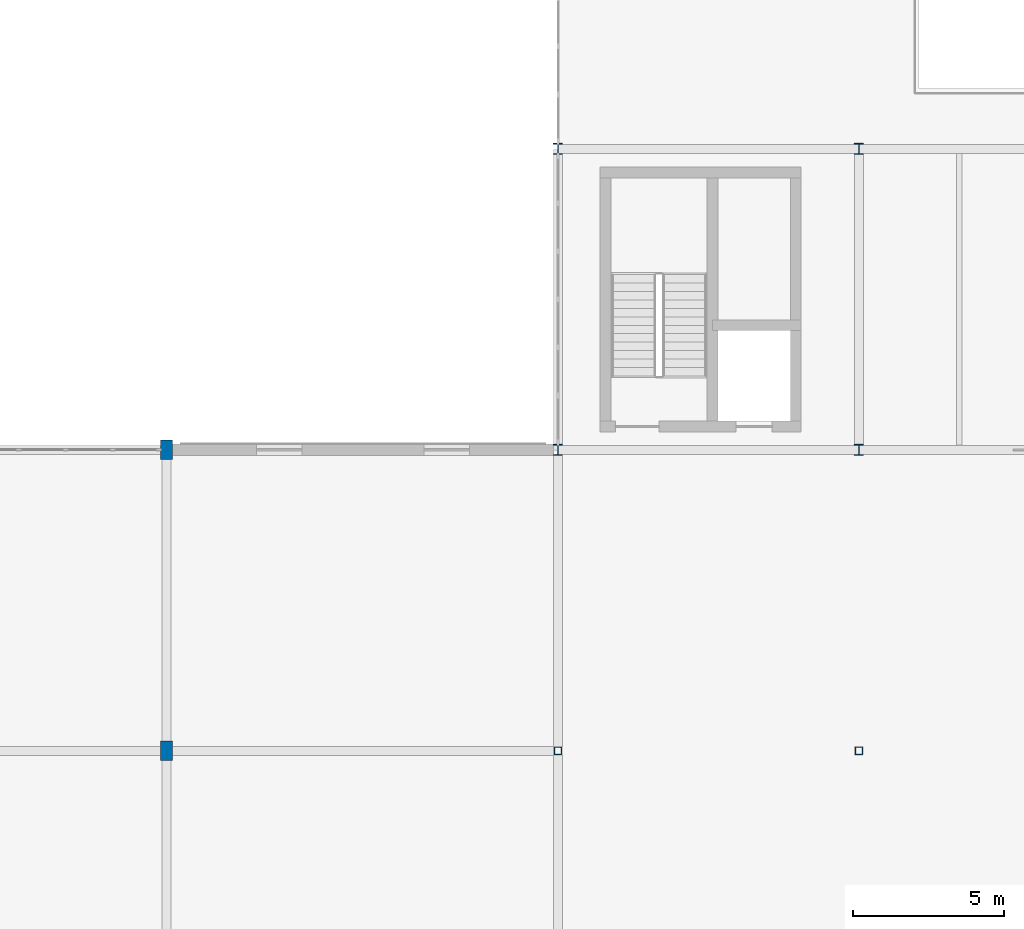
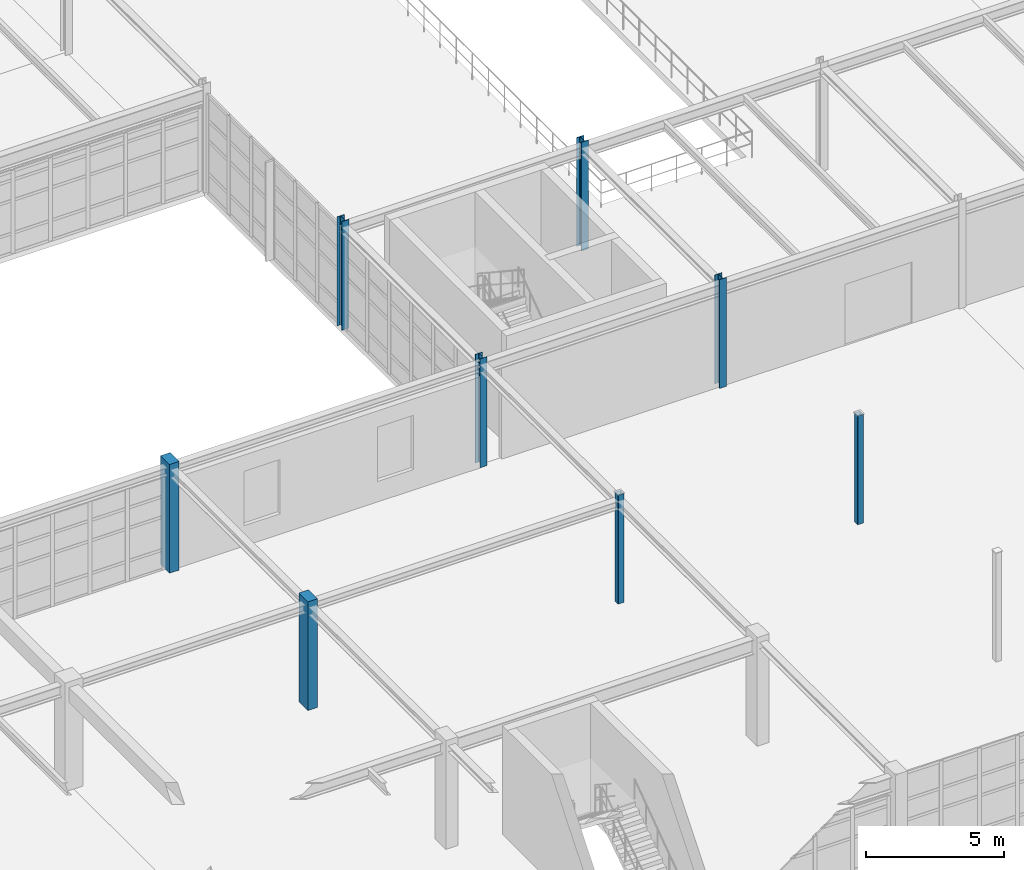
# One storey, part 6 of 139: 8 columns.
"""IFC4 building model written with IfcOpenShell, lengths in metres."""

from ifc_helpers import new_model, si_unit, direction, frame, origin, origin_2d, place, context, subcontext, project, spatial, rectangle, hollow_rectangle, i_section, extrude, material, material_profile, profile_set, type_object, element, save


model = new_model("IFC4")

# Units and contexts
model_context = context("Model", 3, precision=1e-05, world=origin(), true_north=direction((0.0, 1.0)))
body_context = subcontext(model_context, "Body", "Model", "MODEL_VIEW")
ifc_project = project(units=[si_unit("LENGTHUNIT", "METRE"), si_unit("AREAUNIT", "SQUARE_METRE"), si_unit("VOLUMEUNIT", "CUBIC_METRE"), si_unit("PLANEANGLEUNIT", "RADIAN"), si_unit("MASSUNIT", "GRAM", prefix="KILO"), si_unit("THERMODYNAMICTEMPERATUREUNIT", "KELVIN"), si_unit("POWERUNIT", "WATT")], contexts=[model_context])

# Site, building, storey
site_placement = place(None, origin())
site = spatial("IfcSite", under=ifc_project, at=site_placement, CompositionType="ELEMENT")
building_placement = place(site_placement, origin())
building = spatial("IfcBuilding", under=site, at=building_placement, Name="Korenveer Ferry Terminal", CompositionType="ELEMENT")
storey_placement = place(building_placement, frame((0.0, 0.0, 5.39990234375)))
storey = spatial("IfcBuildingStorey", under=building, at=storey_placement, Name="L01", CompositionType="ELEMENT", Elevation=5.39990234375)

# Columns
ifc_material_1 = material(Name="Steel S355", Category="steel")
ifc_material_profile_1 = material_profile(ifc_material_1, i_section(OverallWidth=0.300048828125, OverallDepth=0.360107421875, WebThickness=0.012451171875, FlangeThickness=0.0224609375, FilletRadius=0.027099609375, at=origin_2d()), Name="HEB 360")
ifc_profile_set_1 = profile_set([ifc_material_profile_1], Name="Steel S355")
column_type_1 = type_object("IfcColumnType", Name="STR-COL-HEB360", PredefinedType="COLUMN", material=ifc_profile_set_1)
for number, where, z_axis, x_axis, name in (
    (1, (53.0, 50.0, 0.0), (0.0, 0.0, 1.0), (1.0, 0.0, 0.0), "Column COL-L01-X53-Y50"),
    (2, (53.0, 60.0, 0.0), (0.0, 0.0, 1.0), (1.0, 0.0, 0.0), "Column COL-L01-X53-Y60"),
    (3, (63.0, 50.0, 0.0), (0.0, 0.0, 1.0), (1.0, 0.0, 0.0), "Column COL-L01-X63-Y50"),
    (4, (63.0, 60.0, 0.0), (0.0, 0.0, 1.0), (1.0, 0.0, 0.0), "Column COL-L01-X63-Y60"),
):
    element("IfcColumn", number, at=place(storey_placement, frame(where, z_axis=z_axis, x_axis=x_axis)), inside=storey, type_object=column_type_1, Name=name, PredefinedType="COLUMN", context=body_context, shape_type="SweptSolid", body=[
        extrude(i_section(OverallWidth=0.300048828125, OverallDepth=0.360107421875, WebThickness=0.012451171875, FlangeThickness=0.0224609375, FilletRadius=0.027099609375, at=origin_2d()), origin(), (0.0, 0.0, 1.0), 4.800048828125),
    ])
ifc_material_2 = material(Name="Concrete C45/55", Category="concrete")
ifc_material_profile_2 = material_profile(ifc_material_2, rectangle(XDim=0.39990234375, YDim=0.64990234375, at=origin_2d()), Name="RC 400x650")
ifc_profile_set_2 = profile_set([ifc_material_profile_2], Name="Concrete C45/55")
column_type_2 = type_object("IfcColumnType", Name="STR-COL-RC400X650", PredefinedType="COLUMN", material=ifc_profile_set_2)
for number, where, z_axis, x_axis, name in (
    (5, (40.0, 40.0, 0.0), (0.0, 0.0, 1.0), (1.0, 0.0, 0.0), "Column COL-L01-X40-Y40"),
    (6, (40.0, 50.0, 0.0), (0.0, 0.0, 1.0), (1.0, 0.0, 0.0), "Column COL-L01-X40-Y50"),
):
    element("IfcColumn", number, at=place(storey_placement, frame(where, z_axis=z_axis, x_axis=x_axis)), inside=storey, type_object=column_type_2, Name=name, PredefinedType="COLUMN", context=body_context, shape_type="SweptSolid", body=[
        extrude(rectangle(XDim=0.39990234375, YDim=0.64990234375, at=origin_2d()), origin(), (0.0, 0.0, 1.0), 4.800048828125),
    ])
ifc_material_profile_3 = material_profile(ifc_material_1, hollow_rectangle(XDim=0.25, YDim=0.25, WallThickness=0.012451171875, InnerFilletRadius=0.012451171875, OuterFilletRadius=0.018798828125, at=origin_2d()), Name="SHS 250x250x12.5")
ifc_profile_set_3 = profile_set([ifc_material_profile_3], Name="Steel S355")
column_type_3 = type_object("IfcColumnType", Name="STR-COL-SHS250", PredefinedType="COLUMN", material=ifc_profile_set_3)
for number, where, z_axis, x_axis, name in (
    (7, (53.0, 40.0, 0.0), (0.0, 0.0, 1.0), (1.0, 0.0, 0.0), "Column COL-L01-X53-Y40"),
    (8, (63.0, 40.0, 0.0), (0.0, 0.0, 1.0), (1.0, 0.0, 0.0), "Column COL-L01-X63-Y40"),
):
    element("IfcColumn", number, at=place(storey_placement, frame(where, z_axis=z_axis, x_axis=x_axis)), inside=storey, type_object=column_type_3, Name=name, PredefinedType="COLUMN", context=body_context, shape_type="SweptSolid", body=[
        extrude(hollow_rectangle(XDim=0.25, YDim=0.25, WallThickness=0.012451171875, InnerFilletRadius=0.012451171875, OuterFilletRadius=0.018798828125, at=origin_2d()), origin(), (0.0, 0.0, 1.0), 4.800048828125),
    ])

save(model, "model.ifc")
